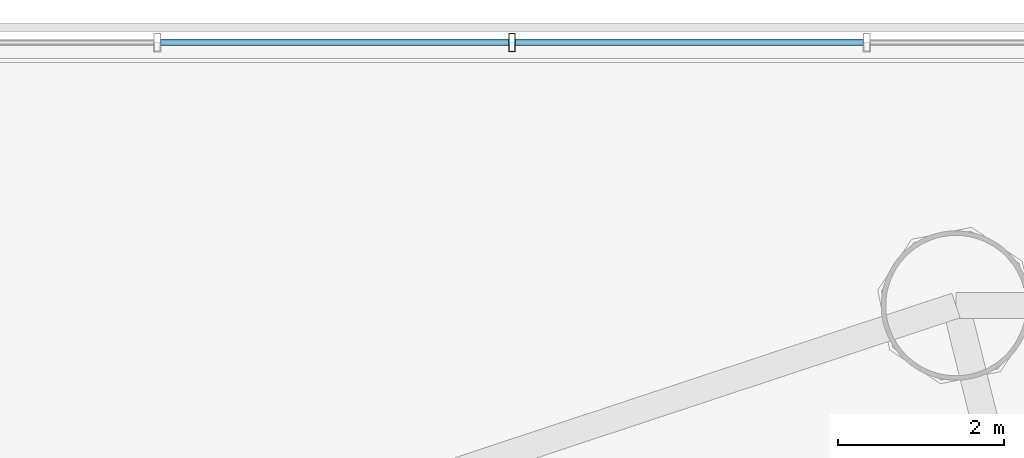
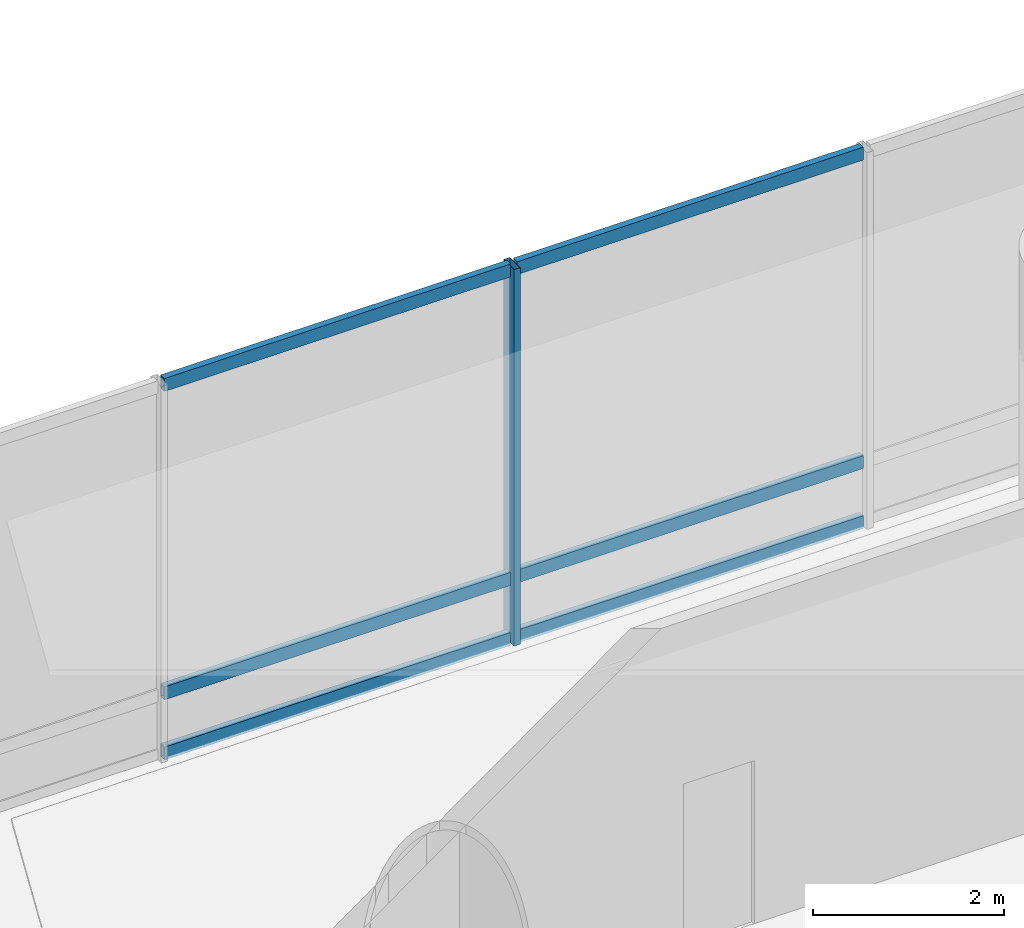
# One storey, part 12 of 31: 7 members, 1 element without a shape of its own.
"""IFC4 building model written with IfcOpenShell, lengths in metres."""

from ifc_helpers import new_model, si_unit, direction, frame, origin, origin_2d, place, context, subcontext, project, spatial, hollow_rectangle, extrude, source, transform, mapped, material, material_profile, profile_set, type_object, element, aggregate, save


model = new_model("IFC4")

# Units and contexts
model_context = context("Model", 3, precision=1e-05, world=origin(), true_north=direction((-0.2419218956, 0.970295726276)))
body_context = subcontext(model_context, "Body", "Model", "MODEL_VIEW")
ifc_project = project(units=[si_unit("LENGTHUNIT", "METRE"), si_unit("AREAUNIT", "SQUARE_METRE"), si_unit("VOLUMEUNIT", "CUBIC_METRE"), si_unit("PLANEANGLEUNIT", "RADIAN"), si_unit("MASSUNIT", "GRAM", prefix="KILO")], contexts=[model_context])

# Site, building, storey
site_placement = place(None, origin())
site = spatial("IfcSite", under=ifc_project, at=site_placement, CompositionType="ELEMENT")
building_placement = place(site_placement, origin())
building = spatial("IfcBuilding", under=site, at=building_placement, Name="Cobrevalo Terracotta Tower", CompositionType="ELEMENT")
storey_placement = place(building_placement, frame((0.0, 0.0, 18.89990234375)))
storey = spatial("IfcBuildingStorey", under=building, at=storey_placement, Name="L04", CompositionType="ELEMENT", Elevation=18.89990234375)

# Curtain wall, members
ifc_material = material(Name="Anodized aluminium", Category="aluminium")
curtain_wall_type = type_object("IfcCurtainWallType", Name="Podium gallery & conservatory curtain wall CW-S2", PredefinedType="NOTDEFINED", material=ifc_material)
curtain_wall_placement = place(storey_placement, origin())
curtain_wall = element("IfcCurtainWall", 1, at=curtain_wall_placement, inside=storey, type_object=curtain_wall_type, Name="L04 curtain wall CW-POD-L04-N", PredefinedType="NOTDEFINED")
ifc_material_profile_1 = material_profile(ifc_material, hollow_rectangle(XDim=0.080078125, YDim=0.1650390625, WallThickness=0.00439453125, at=origin_2d()), Name="CWT 80x165")
ifc_profile_set_1 = profile_set([ifc_material_profile_1], Name="Anodized aluminium")
member_type_1 = type_object("IfcMemberType", Name="Storefront & atrium aluminium transom 80x165", PredefinedType="USERDEFINED", material=ifc_profile_set_1)
shared_shape_1 = source(origin(), body_context, "Body", "SweptSolid", [
    extrude(hollow_rectangle(XDim=0.080078125, YDim=0.1650390625, WallThickness=0.00439453125, at=origin_2d()), origin(), (0.0, 0.0, 1.0), 4.193359375),
])
member_1_placement = place(storey_placement, frame((31.550048828125, 51.39990234375, 0.050048828125), z_axis=(-1.0, 0.0, 0.0), x_axis=(0.0, -1.0, 0.0)))
member_1 = element("IfcMember", 2, at=member_1_placement, type_object=member_type_1, Name="CW-POD-L04-N transom B10-T1", ObjectType="TRANSOM", PredefinedType="USERDEFINED", context=body_context, shape_type="MappedRepresentation", body=[
    mapped(shared_shape_1, transform((0.0, 0.0, 0.0), scale=1.0)),
])
member_2_placement = place(storey_placement, frame((31.550048828125, 51.39990234375, 0.820068359375), z_axis=(-1.0, 0.0, 0.0), x_axis=(0.0, -1.0, 0.0)))
member_2 = element("IfcMember", 3, at=member_2_placement, type_object=member_type_1, Name="CW-POD-L04-N transom B10-T2", ObjectType="TRANSOM", PredefinedType="USERDEFINED", context=body_context, shape_type="MappedRepresentation", body=[
    mapped(shared_shape_1, transform((0.0, 0.0, 0.0), scale=1.0)),
])
member_3_placement = place(storey_placement, frame((31.550048828125, 51.39990234375, 4.77001953125), z_axis=(-1.0, 0.0, 0.0), x_axis=(0.0, -1.0, 0.0)))
member_3 = element("IfcMember", 4, at=member_3_placement, type_object=member_type_1, Name="CW-POD-L04-N transom B10-T3", ObjectType="TRANSOM", PredefinedType="USERDEFINED", context=body_context, shape_type="MappedRepresentation", body=[
    mapped(shared_shape_1, transform((0.0, 0.0, 0.0), scale=1.0)),
])
member_4_placement = place(storey_placement, frame((27.276611328125, 51.39990234375, 0.050048828125), z_axis=(-1.0, 0.0, 0.0), x_axis=(0.0, -1.0, 0.0)))
member_4 = element("IfcMember", 5, at=member_4_placement, type_object=member_type_1, Name="CW-POD-L04-N transom B11-T1", ObjectType="TRANSOM", PredefinedType="USERDEFINED", context=body_context, shape_type="MappedRepresentation", body=[
    mapped(shared_shape_1, transform((0.0, 0.0, 0.0), scale=1.0)),
])
member_5_placement = place(storey_placement, frame((27.276611328125, 51.39990234375, 0.820068359375), z_axis=(-1.0, 0.0, 0.0), x_axis=(0.0, -1.0, 0.0)))
member_5 = element("IfcMember", 6, at=member_5_placement, type_object=member_type_1, Name="CW-POD-L04-N transom B11-T2", ObjectType="TRANSOM", PredefinedType="USERDEFINED", context=body_context, shape_type="MappedRepresentation", body=[
    mapped(shared_shape_1, transform((0.0, 0.0, 0.0), scale=1.0)),
])
member_6_placement = place(storey_placement, frame((27.276611328125, 51.39990234375, 4.77001953125), z_axis=(-1.0, 0.0, 0.0), x_axis=(0.0, -1.0, 0.0)))
member_6 = element("IfcMember", 7, at=member_6_placement, type_object=member_type_1, Name="CW-POD-L04-N transom B11-T3", ObjectType="TRANSOM", PredefinedType="USERDEFINED", context=body_context, shape_type="MappedRepresentation", body=[
    mapped(shared_shape_1, transform((0.0, 0.0, 0.0), scale=1.0)),
])
ifc_material_profile_2 = material_profile(ifc_material, hollow_rectangle(XDim=0.080078125, YDim=0.219970703125, WallThickness=0.0048828125, at=origin_2d()), Name="CWM 80x220")
ifc_profile_set_2 = profile_set([ifc_material_profile_2], Name="Anodized aluminium")
member_type_2 = type_object("IfcMemberType", Name="Storefront & atrium aluminium mullion 80x220", PredefinedType="MULLION", material=ifc_profile_set_2)
shared_shape_2 = source(origin(), body_context, "Body", "SweptSolid", [
    extrude(hollow_rectangle(XDim=0.080078125, YDim=0.219970703125, WallThickness=0.0048828125, at=origin_2d()), origin(), (0.0, 0.0, 1.0), 4.820068359375),
])
member_7_placement = place(storey_placement, frame((27.316650390625, 51.39990234375, 0.0), z_axis=(0.0, 0.0, 1.0), x_axis=(-1.0, 0.0, 0.0)))
member_7 = element("IfcMember", 8, at=member_7_placement, type_object=member_type_2, Name="CW-POD-L04-N vertical mullion 11", PredefinedType="MULLION", context=body_context, shape_type="MappedRepresentation", body=[
    mapped(shared_shape_2, transform((0.0, 0.0, 0.0), scale=1.0)),
])
aggregate(curtain_wall, [member_7, member_1, member_2, member_3, member_4, member_5, member_6])

save(model, "model.ifc")
